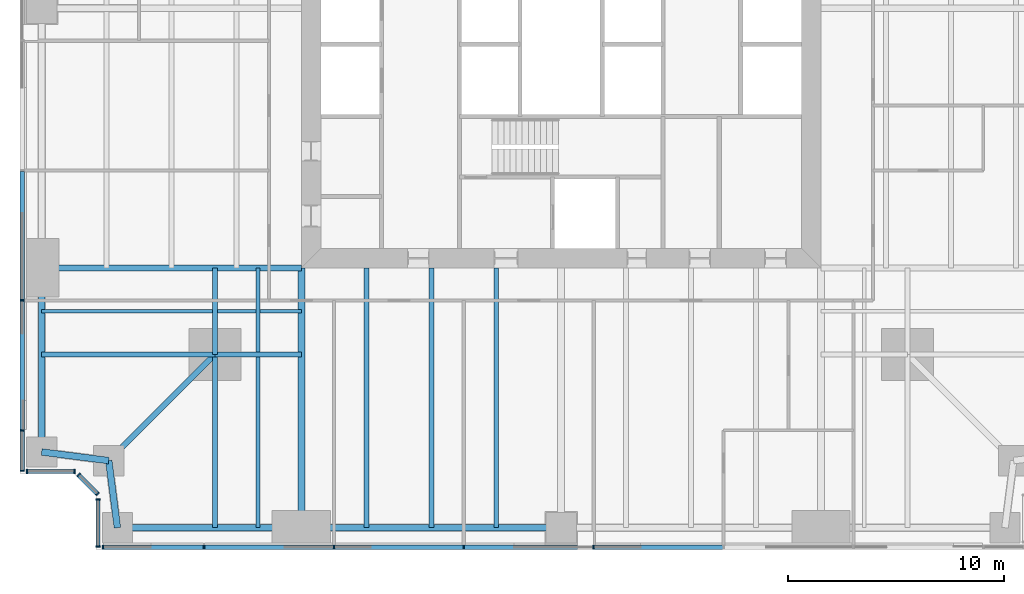
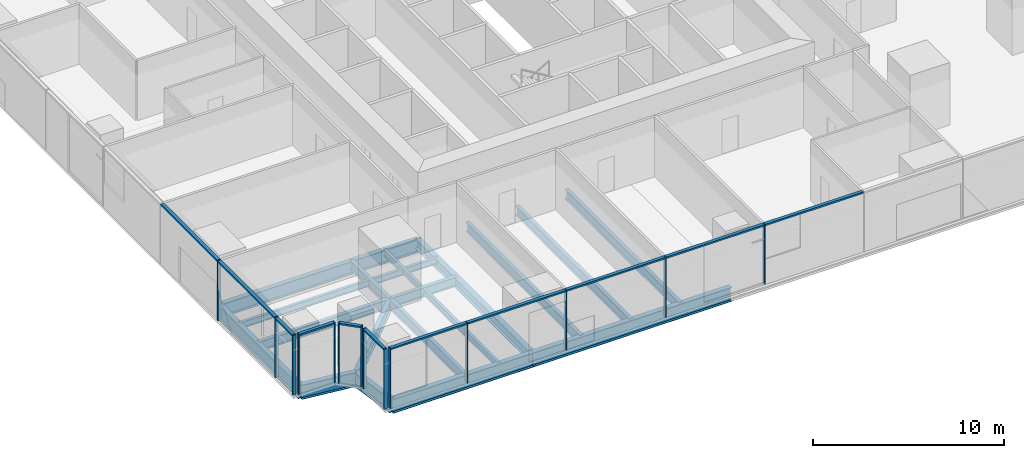
# One storey, part 2 of 14: 25 members, 20 beams, 5 elements without a shape of their own.
"""IFC4 building model written with IfcOpenShell, lengths in metres."""

from ifc_helpers import new_model, si_unit, direction, frame, origin, origin_2d, place, context, subcontext, project, spatial, rectangle, i_section, extrude, material, material_profile, profile_set, type_object, element, aggregate, save


model = new_model("IFC4")

# Units and contexts
model_context = context("Model", 3, precision=1e-05, world=origin(), true_north=direction((0.0, 1.0)))
body_context = subcontext(model_context, "Body", "Model", "MODEL_VIEW")
ifc_project = project(units=[si_unit("LENGTHUNIT", "METRE"), si_unit("AREAUNIT", "SQUARE_METRE"), si_unit("VOLUMEUNIT", "CUBIC_METRE"), si_unit("PLANEANGLEUNIT", "RADIAN"), si_unit("MASSUNIT", "GRAM", prefix="KILO")], contexts=[model_context])

# Site, building, storey
site_placement = place(None, origin())
site = spatial("IfcSite", under=ifc_project, at=site_placement, CompositionType="ELEMENT")
building_placement = place(site_placement, origin())
building = spatial("IfcBuilding", under=site, at=building_placement, Name="Fenwick Lantern Interchange", CompositionType="ELEMENT")
storey_placement = place(building_placement, frame((0.0, 0.0, 71.0)))
storey = spatial("IfcBuildingStorey", under=building, at=storey_placement, Name="L16", CompositionType="ELEMENT", Elevation=71.0)

# Beams
ifc_material_1 = material(Name="Steel ASTM A992 Grade 50", Category="steel")
ifc_material_profile_1 = material_profile(ifc_material_1, i_section(OverallWidth=0.3046875, OverallDepth=0.911865234375, WebThickness=0.015869140625, FlangeThickness=0.02392578125, at=origin_2d()), Name="W36X150")
ifc_profile_set_1 = profile_set([ifc_material_profile_1], Name="Steel ASTM A992 Grade 50")
beam_type_1 = type_object("IfcBeamType", Name="EDGE BEAM W36X150", PredefinedType="SPANDREL", material=ifc_profile_set_1)
beam_1_placement = place(storey_placement, frame((4.5, 1.0, -0.60595703125), z_axis=(1.0, 0.0, 0.0), x_axis=(0.0, 1.0, 0.0)))
element("IfcBeam", 1, at=beam_1_placement, inside=storey, type_object=beam_type_1, Name="L16/FR/S/EB1", PredefinedType="SPANDREL", context=body_context, shape_type="SweptSolid", body=[
    extrude(i_section(OverallWidth=0.3046875, OverallDepth=0.911865234375, WebThickness=0.015869140625, FlangeThickness=0.02392578125, at=origin_2d()), origin(), (0.0, 0.0, 1.0), 8.5),
])
beam_2_placement = place(storey_placement, frame((13.0, 1.0, -0.60595703125), z_axis=(1.0, 0.0, 0.0), x_axis=(0.0, 1.0, 0.0)))
element("IfcBeam", 2, at=beam_2_placement, inside=storey, type_object=beam_type_1, Name="L16/FR/S/EB2", PredefinedType="SPANDREL", context=body_context, shape_type="SweptSolid", body=[
    extrude(i_section(OverallWidth=0.3046875, OverallDepth=0.911865234375, WebThickness=0.015869140625, FlangeThickness=0.02392578125, at=origin_2d()), origin(), (0.0, 0.0, 1.0), 12.0),
])
beam_3_placement = place(storey_placement, frame((1.0, 13.0, -0.60595703125), z_axis=(0.0, -1.0, 0.0), x_axis=(1.0, 0.0, 0.0)))
element("IfcBeam", 3, at=beam_3_placement, inside=storey, type_object=beam_type_1, Name="L16/FR/W/EB4", PredefinedType="SPANDREL", context=body_context, shape_type="SweptSolid", body=[
    extrude(i_section(OverallWidth=0.3046875, OverallDepth=0.911865234375, WebThickness=0.015869140625, FlangeThickness=0.02392578125, at=origin_2d()), origin(), (0.0, 0.0, 1.0), 8.5),
])
for number, where, z_axis, x_axis, name in (
    (4, (1.0, 4.5, -0.60595703125), (0.991782342897, -0.127936641807, 0.0), (0.127936641807, 0.991782342897, 0.0), "L16/FR/W/EBR1"),
    (5, (4.10009765625, 4.10009765625, -0.60595703125), (0.127936641807, -0.991782342897, 0.0), (0.991782342897, 0.127936641807, 0.0), "L16/FR/W/EBR2"),
):
    element("IfcBeam", number, at=place(storey_placement, frame(where, z_axis=z_axis, x_axis=x_axis)), inside=storey, type_object=beam_type_1, Name=name, PredefinedType="SPANDREL", context=body_context, shape_type="SweptSolid", body=[
        extrude(i_section(OverallWidth=0.3046875, OverallDepth=0.911865234375, WebThickness=0.015869140625, FlangeThickness=0.02392578125, at=origin_2d()), origin(), (0.0, 0.0, 1.0), 3.125732421875),
    ])
ifc_material_profile_2 = material_profile(ifc_material_1, i_section(OverallWidth=0.22900390625, OverallDepth=0.612060546875, WebThickness=0.011962890625, FlangeThickness=0.01953125, at=origin_2d()), Name="W24X84")
ifc_profile_set_2 = profile_set([ifc_material_profile_2], Name="Steel ASTM A992 Grade 50")
beam_type_2 = type_object("IfcBeamType", Name="FLOOR BEAM W24X84", PredefinedType="BEAM", material=ifc_profile_set_2)
for number, where, z_axis, x_axis, name in (
    (6, (16.0, 1.0, -0.4560546875), (0.0, 1.0, 0.0), (-1.0, 0.0, 0.0), "L16/FR/S/R02"),
    (7, (19.0, 1.0, -0.4560546875), (0.0, 1.0, 0.0), (-1.0, 0.0, 0.0), "L16/FR/S/R03"),
    (8, (22.0, 1.0, -0.4560546875), (0.0, 1.0, 0.0), (-1.0, 0.0, 0.0), "L16/FR/S/R04"),
):
    element("IfcBeam", number, at=place(storey_placement, frame(where, z_axis=z_axis, x_axis=x_axis)), inside=storey, type_object=beam_type_2, Name=name, PredefinedType="BEAM", context=body_context, shape_type="SweptSolid", body=[
        extrude(i_section(OverallWidth=0.22900390625, OverallDepth=0.612060546875, WebThickness=0.011962890625, FlangeThickness=0.01953125, at=origin_2d()), origin(), (0.0, 0.0, 1.0), 12.0),
    ])
ifc_material_profile_3 = material_profile(ifc_material_1, i_section(OverallWidth=0.177734375, OverallDepth=0.406494140625, WebThickness=0.0078125, FlangeThickness=0.012939453125, at=origin_2d()), Name="W16X40")
ifc_profile_set_3 = profile_set([ifc_material_profile_3], Name="Steel ASTM A992 Grade 50")
beam_type_3 = type_object("IfcBeamType", Name="INFILL BEAM W16X40", PredefinedType="JOIST", material=ifc_profile_set_3)
beam_4_placement = place(storey_placement, frame((11.0, 1.0, -0.353271484375), z_axis=(0.0, 1.0, 0.0), x_axis=(-1.0, 0.0, 0.0)))
element("IfcBeam", 9, at=beam_4_placement, inside=storey, type_object=beam_type_3, Name="L16/FR/S/J1", PredefinedType="JOIST", context=body_context, shape_type="SweptSolid", body=[
    extrude(i_section(OverallWidth=0.177734375, OverallDepth=0.406494140625, WebThickness=0.0078125, FlangeThickness=0.012939453125, at=origin_2d()), origin(), (0.0, 0.0, 1.0), 7.885498046875),
])
beam_5_placement = place(storey_placement, frame((11.0, 9.114501953125, -0.353271484375), z_axis=(0.0, 1.0, 0.0), x_axis=(-1.0, 0.0, 0.0)))
element("IfcBeam", 10, at=beam_5_placement, inside=storey, type_object=beam_type_3, Name="L16/FR/S/J2", PredefinedType="JOIST", context=body_context, shape_type="SweptSolid", body=[
    extrude(i_section(OverallWidth=0.177734375, OverallDepth=0.406494140625, WebThickness=0.0078125, FlangeThickness=0.012939453125, at=origin_2d()), origin(), (0.0, 0.0, 1.0), 3.885498046875),
])
beam_6_placement = place(storey_placement, frame((1.0, 11.0, -0.353271484375), z_axis=(1.0, 0.0, 0.0), x_axis=(0.0, 1.0, 0.0)))
element("IfcBeam", 11, at=beam_6_placement, inside=storey, type_object=beam_type_3, Name="L16/FR/S/J3", PredefinedType="JOIST", context=body_context, shape_type="SweptSolid", body=[
    extrude(i_section(OverallWidth=0.177734375, OverallDepth=0.406494140625, WebThickness=0.0078125, FlangeThickness=0.012939453125, at=origin_2d()), origin(), (0.0, 0.0, 1.0), 7.885498046875),
])
beam_7_placement = place(storey_placement, frame((9.114501953125, 11.0, -0.353271484375), z_axis=(1.0, 0.0, 0.0), x_axis=(0.0, 1.0, 0.0)))
element("IfcBeam", 12, at=beam_7_placement, inside=storey, type_object=beam_type_3, Name="L16/FR/S/J4", PredefinedType="JOIST", context=body_context, shape_type="SweptSolid", body=[
    extrude(i_section(OverallWidth=0.177734375, OverallDepth=0.406494140625, WebThickness=0.0078125, FlangeThickness=0.012939453125, at=origin_2d()), origin(), (0.0, 0.0, 1.0), 1.796630859375),
])
beam_8_placement = place(storey_placement, frame((11.0888671875, 11.0, -0.353271484375), z_axis=(1.0, 0.0, 0.0), x_axis=(0.0, 1.0, 0.0)))
element("IfcBeam", 13, at=beam_8_placement, inside=storey, type_object=beam_type_3, Name="L16/FR/S/J5", PredefinedType="JOIST", context=body_context, shape_type="SweptSolid", body=[
    extrude(i_section(OverallWidth=0.177734375, OverallDepth=0.406494140625, WebThickness=0.0078125, FlangeThickness=0.012939453125, at=origin_2d()), origin(), (0.0, 0.0, 1.0), 1.9111328125),
])
ifc_material_profile_4 = material_profile(ifc_material_1, i_section(OverallWidth=0.22900390625, OverallDepth=0.612060546875, WebThickness=0.011962890625, FlangeThickness=0.01953125, at=origin_2d()), Name="W24X84")
ifc_profile_set_4 = profile_set([ifc_material_profile_4], Name="Steel ASTM A992 Grade 50")
beam_type_4 = type_object("IfcBeamType", Name="MEGA COLUMN BEAM W24X84", PredefinedType="BEAM", material=ifc_profile_set_4)
for number, where, z_axis, x_axis, name in (
    (14, (9.0, 9.0, -0.4560546875), (0.0, -1.0, 0.0), (1.0, 0.0, 0.0), "L16/FR/S/MB1"),
    (15, (9.0, 9.0, -0.4560546875), (-1.0, 0.0, 0.0), (0.0, -1.0, 0.0), "L16/FR/S/MB2"),
):
    element("IfcBeam", number, at=place(storey_placement, frame(where, z_axis=z_axis, x_axis=x_axis)), inside=storey, type_object=beam_type_4, Name=name, PredefinedType="BEAM", context=body_context, shape_type="SweptSolid", body=[
        extrude(i_section(OverallWidth=0.22900390625, OverallDepth=0.612060546875, WebThickness=0.011962890625, FlangeThickness=0.01953125, at=origin_2d()), origin(), (0.0, 0.0, 1.0), 8.0),
    ])
for number, where, z_axis, x_axis, name in (
    (16, (9.0, 9.0, -0.4560546875), (1.0, 0.0, 0.0), (0.0, 1.0, 0.0), "L16/FR/S/MB3"),
    (17, (9.0, 9.0, -0.4560546875), (0.0, 1.0, 0.0), (-1.0, 0.0, 0.0), "L16/FR/S/MB4"),
):
    element("IfcBeam", number, at=place(storey_placement, frame(where, z_axis=z_axis, x_axis=x_axis)), inside=storey, type_object=beam_type_4, Name=name, PredefinedType="BEAM", context=body_context, shape_type="SweptSolid", body=[
        extrude(i_section(OverallWidth=0.22900390625, OverallDepth=0.612060546875, WebThickness=0.011962890625, FlangeThickness=0.01953125, at=origin_2d()), origin(), (0.0, 0.0, 1.0), 4.0),
    ])
ifc_material_profile_5 = material_profile(ifc_material_1, i_section(OverallWidth=0.32763671875, OverallDepth=0.622314453125, WebThickness=0.015380859375, FlangeThickness=0.0244140625, at=origin_2d()), Name="W24X131")
ifc_profile_set_5 = profile_set([ifc_material_profile_5], Name="Steel ASTM A992 Grade 50")
beam_type_5 = type_object("IfcBeamType", Name="MOMENT-CONNECTED GIRDER W24X131", PredefinedType="BEAM", material=ifc_profile_set_5)
beam_9_placement = place(storey_placement, frame((13.0, 1.0, -0.461181640625), z_axis=(0.0, 1.0, 0.0), x_axis=(-1.0, 0.0, 0.0)))
element("IfcBeam", 18, at=beam_9_placement, inside=storey, type_object=beam_type_5, Name="L16/FR/S/R01", PredefinedType="BEAM", context=body_context, shape_type="SweptSolid", body=[
    extrude(i_section(OverallWidth=0.32763671875, OverallDepth=0.622314453125, WebThickness=0.015380859375, FlangeThickness=0.0244140625, at=origin_2d()), origin(), (0.0, 0.0, 1.0), 12.0),
])
ifc_material_profile_6 = material_profile(ifc_material_1, i_section(OverallWidth=0.2919921875, OverallDepth=0.845703125, WebThickness=0.015380859375, FlangeThickness=0.0244140625, at=origin_2d()), Name="W33X141")
ifc_profile_set_6 = profile_set([ifc_material_profile_6], Name="Steel ASTM A992 Grade 50")
beam_type_6 = type_object("IfcBeamType", Name="MOMENT-CONNECTED GIRDER W33X141", PredefinedType="BEAM", material=ifc_profile_set_6)
beam_10_placement = place(storey_placement, frame((1.0, 13.0, -0.572998046875), z_axis=(1.0, 0.0, 0.0), x_axis=(0.0, 1.0, 0.0)))
element("IfcBeam", 19, at=beam_10_placement, inside=storey, type_object=beam_type_6, Name="L16/FR/W/R03", PredefinedType="BEAM", context=body_context, shape_type="SweptSolid", body=[
    extrude(i_section(OverallWidth=0.2919921875, OverallDepth=0.845703125, WebThickness=0.015380859375, FlangeThickness=0.0244140625, at=origin_2d()), origin(), (0.0, 0.0, 1.0), 12.0),
])
ifc_material_profile_7 = material_profile(ifc_material_1, i_section(OverallWidth=0.2666015625, OverallDepth=0.7568359375, WebThickness=0.013916015625, FlangeThickness=0.019287109375, at=origin_2d()), Name="W30X108")
ifc_profile_set_7 = profile_set([ifc_material_profile_7], Name="Steel ASTM A992 Grade 50")
beam_type_7 = type_object("IfcBeamType", Name="NOTCH BEAM W30X108", PredefinedType="BEAM", material=ifc_profile_set_7)
beam_11_placement = place(storey_placement, frame((9.0, 9.0, -0.528564453125), z_axis=(-0.707106781187, -0.707106781187, 0.0), x_axis=(0.707106781187, -0.707106781187, 0.0)))
element("IfcBeam", 20, at=beam_11_placement, inside=storey, type_object=beam_type_7, Name="L16/FR/S/TG", PredefinedType="BEAM", context=body_context, shape_type="SweptSolid", body=[
    extrude(i_section(OverallWidth=0.2666015625, OverallDepth=0.7568359375, WebThickness=0.013916015625, FlangeThickness=0.019287109375, at=origin_2d()), origin(), (0.0, 0.0, 1.0), 6.929443359375),
])

# Curtain wall, members
ifc_material_2 = material(Name="Aluminium curtain wall frame", Category="aluminium")
curtain_wall_type = type_object("IfcCurtainWallType", Name="OFFICE CURTAIN WALL", PredefinedType="USERDEFINED", material=ifc_material_2)
curtain_wall_1_placement = place(storey_placement, origin())
curtain_wall_1 = element("IfcCurtainWall", 21, at=curtain_wall_1_placement, inside=storey, type_object=curtain_wall_type, Name="Office curtain wall 01", ObjectType="OFFICE CURTAIN WALL", PredefinedType="USERDEFINED")
ifc_material_3 = material(Name="Aluminium extrusion", Category="aluminium")
ifc_material_profile_8 = material_profile(ifc_material_3, rectangle(XDim=0.199951171875, YDim=0.06494140625, at=origin_2d()), Name="OFFICE CURTAIN WALL MULLION 65 X 200")
ifc_profile_set_8 = profile_set([ifc_material_profile_8], Name="Aluminium extrusion")
member_type_1 = type_object("IfcMemberType", Name="OFFICE CURTAIN WALL MULLION 65 X 200", PredefinedType="MULLION", material=ifc_profile_set_8)
member_1_placement = place(storey_placement, frame((3.83251953125, 0.10009765625, 0.0), z_axis=(0.0, 0.0, 1.0), x_axis=(0.0, 1.0, 0.0)))
member_1 = element("IfcMember", 22, at=member_1_placement, type_object=member_type_1, Name="L16/CW/01/M00", PredefinedType="MULLION", context=body_context, shape_type="SweptSolid", body=[
    extrude(rectangle(XDim=0.199951171875, YDim=0.06494140625, at=origin_2d()), origin(), (0.0, 0.0, 1.0), 3.85009765625),
])
member_2_placement = place(storey_placement, frame((8.5, 0.10009765625, 0.0), z_axis=(0.0, 0.0, 1.0), x_axis=(0.0, 1.0, 0.0)))
member_2 = element("IfcMember", 23, at=member_2_placement, type_object=member_type_1, Name="L16/CW/01/M01", PredefinedType="MULLION", context=body_context, shape_type="SweptSolid", body=[
    extrude(rectangle(XDim=0.199951171875, YDim=0.06494140625, at=origin_2d()), origin(), (0.0, 0.0, 1.0), 3.85009765625),
])
member_3_placement = place(storey_placement, frame((14.5, 0.10009765625, 0.0), z_axis=(0.0, 0.0, 1.0), x_axis=(0.0, 1.0, 0.0)))
member_3 = element("IfcMember", 24, at=member_3_placement, type_object=member_type_1, Name="L16/CW/01/M02", PredefinedType="MULLION", context=body_context, shape_type="SweptSolid", body=[
    extrude(rectangle(XDim=0.199951171875, YDim=0.06494140625, at=origin_2d()), origin(), (0.0, 0.0, 1.0), 3.85009765625),
])
member_4_placement = place(storey_placement, frame((20.5, 0.10009765625, 0.0), z_axis=(0.0, 0.0, 1.0), x_axis=(0.0, 1.0, 0.0)))
member_4 = element("IfcMember", 25, at=member_4_placement, type_object=member_type_1, Name="L16/CW/01/M03", PredefinedType="MULLION", context=body_context, shape_type="SweptSolid", body=[
    extrude(rectangle(XDim=0.199951171875, YDim=0.06494140625, at=origin_2d()), origin(), (0.0, 0.0, 1.0), 3.85009765625),
])
member_5_placement = place(storey_placement, frame((26.5, 0.10009765625, 0.0), z_axis=(0.0, 0.0, 1.0), x_axis=(0.0, 1.0, 0.0)))
member_5 = element("IfcMember", 26, at=member_5_placement, type_object=member_type_1, Name="L16/CW/01/M04", PredefinedType="MULLION", context=body_context, shape_type="SweptSolid", body=[
    extrude(rectangle(XDim=0.199951171875, YDim=0.06494140625, at=origin_2d()), origin(), (0.0, 0.0, 1.0), 3.85009765625),
])

curtain_wall_2_placement = place(storey_placement, origin())
curtain_wall_2 = element("IfcCurtainWall", 27, at=curtain_wall_2_placement, inside=storey, type_object=curtain_wall_type, Name="Office curtain wall 13", ObjectType="OFFICE CURTAIN WALL", PredefinedType="USERDEFINED")
member_6_placement = place(storey_placement, frame((0.10009765625, 11.5, 0.0), z_axis=(0.0, 0.0, 1.0), x_axis=(1.0, 0.0, 0.0)))
member_6 = element("IfcMember", 28, at=member_6_placement, type_object=member_type_1, Name="L16/CW/13/M06", PredefinedType="MULLION", context=body_context, shape_type="SweptSolid", body=[
    extrude(rectangle(XDim=0.199951171875, YDim=0.06494140625, at=origin_2d()), origin(), (0.0, 0.0, 1.0), 3.85009765625),
])
member_7_placement = place(storey_placement, frame((0.10009765625, 5.5, 0.0), z_axis=(0.0, 0.0, 1.0), x_axis=(1.0, 0.0, 0.0)))
member_7 = element("IfcMember", 29, at=member_7_placement, type_object=member_type_1, Name="L16/CW/13/M07", PredefinedType="MULLION", context=body_context, shape_type="SweptSolid", body=[
    extrude(rectangle(XDim=0.199951171875, YDim=0.06494140625, at=origin_2d()), origin(), (0.0, 0.0, 1.0), 3.85009765625),
])
member_8_placement = place(storey_placement, frame((0.10009765625, 3.632568359375, 0.0), z_axis=(0.0, 0.0, 1.0), x_axis=(1.0, 0.0, 0.0)))
member_8 = element("IfcMember", 30, at=member_8_placement, type_object=member_type_1, Name="L16/CW/13/M08", PredefinedType="MULLION", context=body_context, shape_type="SweptSolid", body=[
    extrude(rectangle(XDim=0.199951171875, YDim=0.06494140625, at=origin_2d()), origin(), (0.0, 0.0, 1.0), 3.85009765625),
])

curtain_wall_3_placement = place(storey_placement, origin())
curtain_wall_3 = element("IfcCurtainWall", 31, at=curtain_wall_3_placement, inside=storey, type_object=curtain_wall_type, Name="Office curtain wall 14", ObjectType="OFFICE CURTAIN WALL", PredefinedType="USERDEFINED")
member_9_placement = place(storey_placement, frame((0.33251953125, 3.60009765625, 0.0), z_axis=(0.0, 0.0, 1.0), x_axis=(0.0, 1.0, 0.0)))
member_9 = element("IfcMember", 32, at=member_9_placement, type_object=member_type_1, Name="L16/CW/14/M00", PredefinedType="MULLION", context=body_context, shape_type="SweptSolid", body=[
    extrude(rectangle(XDim=0.199951171875, YDim=0.06494140625, at=origin_2d()), origin(), (0.0, 0.0, 1.0), 3.85009765625),
])
member_10_placement = place(storey_placement, frame((2.509033203125, 3.60009765625, 0.0), z_axis=(0.0, 0.0, 1.0), x_axis=(0.0, 1.0, 0.0)))
member_10 = element("IfcMember", 33, at=member_10_placement, type_object=member_type_1, Name="L16/CW/14/M01", PredefinedType="MULLION", context=body_context, shape_type="SweptSolid", body=[
    extrude(rectangle(XDim=0.199951171875, YDim=0.06494140625, at=origin_2d()), origin(), (0.0, 0.0, 1.0), 3.85009765625),
])

curtain_wall_4_placement = place(storey_placement, origin())
curtain_wall_4 = element("IfcCurtainWall", 34, at=curtain_wall_4_placement, inside=storey, type_object=curtain_wall_type, Name="Office curtain wall 15", ObjectType="OFFICE CURTAIN WALL", PredefinedType="USERDEFINED")
member_11_placement = place(storey_placement, frame((2.705810546875, 3.435546875, 0.0), z_axis=(0.0, 0.0, 1.0), x_axis=(0.707106781187, 0.707106781187, 0.0)))
member_11 = element("IfcMember", 35, at=member_11_placement, type_object=member_type_1, Name="L16/CW/15/M00", PredefinedType="MULLION", context=body_context, shape_type="SweptSolid", body=[
    extrude(rectangle(XDim=0.199951171875, YDim=0.06494140625, at=origin_2d()), origin(), (0.0, 0.0, 1.0), 3.85009765625),
])
member_12_placement = place(storey_placement, frame((3.576904296875, 2.564453125, 0.0), z_axis=(0.0, 0.0, 1.0), x_axis=(0.707106781187, 0.707106781187, 0.0)))
member_12 = element("IfcMember", 36, at=member_12_placement, type_object=member_type_1, Name="L16/CW/15/M01", PredefinedType="MULLION", context=body_context, shape_type="SweptSolid", body=[
    extrude(rectangle(XDim=0.199951171875, YDim=0.06494140625, at=origin_2d()), origin(), (0.0, 0.0, 1.0), 3.85009765625),
])

curtain_wall_5_placement = place(storey_placement, origin())
curtain_wall_5 = element("IfcCurtainWall", 37, at=curtain_wall_5_placement, inside=storey, type_object=curtain_wall_type, Name="Office curtain wall 16", ObjectType="OFFICE CURTAIN WALL", PredefinedType="USERDEFINED")
member_13_placement = place(storey_placement, frame((3.60009765625, 2.308837890625, 0.0), z_axis=(0.0, 0.0, 1.0), x_axis=(1.0, 0.0, 0.0)))
member_13 = element("IfcMember", 38, at=member_13_placement, type_object=member_type_1, Name="L16/CW/16/M00", PredefinedType="MULLION", context=body_context, shape_type="SweptSolid", body=[
    extrude(rectangle(XDim=0.199951171875, YDim=0.06494140625, at=origin_2d()), origin(), (0.0, 0.0, 1.0), 3.85009765625),
])
member_14_placement = place(storey_placement, frame((3.60009765625, 0.132568359375, 0.0), z_axis=(0.0, 0.0, 1.0), x_axis=(1.0, 0.0, 0.0)))
member_14 = element("IfcMember", 39, at=member_14_placement, type_object=member_type_1, Name="L16/CW/16/M01", PredefinedType="MULLION", context=body_context, shape_type="SweptSolid", body=[
    extrude(rectangle(XDim=0.199951171875, YDim=0.06494140625, at=origin_2d()), origin(), (0.0, 0.0, 1.0), 3.85009765625),
])

# Member
ifc_material_profile_9 = material_profile(ifc_material_3, rectangle(XDim=0.199951171875, YDim=0.10009765625, at=origin_2d()), Name="OFFICE CURTAIN WALL TRANSOM 100 X 200")
ifc_profile_set_9 = profile_set([ifc_material_profile_9], Name="Aluminium extrusion")
member_type_2 = type_object("IfcMemberType", Name="OFFICE CURTAIN WALL TRANSOM 100 X 200", PredefinedType="MULLION", material=ifc_profile_set_9)
member_15_placement = place(storey_placement, frame((3.864990234375, 0.10009765625, 3.800048828125), z_axis=(1.0, 0.0, 0.0), x_axis=(0.0, 1.0, 0.0)))
member_15 = element("IfcMember", 40, at=member_15_placement, type_object=member_type_2, Name="L16/CW/01/T00", PredefinedType="MULLION", context=body_context, shape_type="SweptSolid", body=[
    extrude(rectangle(XDim=0.199951171875, YDim=0.10009765625, at=origin_2d()), origin(), (0.0, 0.0, 1.0), 4.6025390625),
])

member_16_placement = place(storey_placement, frame((8.532470703125, 0.10009765625, 3.800048828125), z_axis=(1.0, 0.0, 0.0), x_axis=(0.0, 1.0, 0.0)))
member_16 = element("IfcMember", 41, at=member_16_placement, type_object=member_type_2, Name="L16/CW/01/T01", PredefinedType="MULLION", context=body_context, shape_type="SweptSolid", body=[
    extrude(rectangle(XDim=0.199951171875, YDim=0.10009765625, at=origin_2d()), origin(), (0.0, 0.0, 1.0), 5.93505859375),
])

member_17_placement = place(storey_placement, frame((14.532470703125, 0.10009765625, 3.800048828125), z_axis=(1.0, 0.0, 0.0), x_axis=(0.0, 1.0, 0.0)))
member_17 = element("IfcMember", 42, at=member_17_placement, type_object=member_type_2, Name="L16/CW/01/T02", PredefinedType="MULLION", context=body_context, shape_type="SweptSolid", body=[
    extrude(rectangle(XDim=0.199951171875, YDim=0.10009765625, at=origin_2d()), origin(), (0.0, 0.0, 1.0), 5.93505859375),
])

member_18_placement = place(storey_placement, frame((20.532470703125, 0.10009765625, 3.800048828125), z_axis=(1.0, 0.0, 0.0), x_axis=(0.0, 1.0, 0.0)))
member_18 = element("IfcMember", 43, at=member_18_placement, type_object=member_type_2, Name="L16/CW/01/T03", PredefinedType="MULLION", context=body_context, shape_type="SweptSolid", body=[
    extrude(rectangle(XDim=0.199951171875, YDim=0.10009765625, at=origin_2d()), origin(), (0.0, 0.0, 1.0), 5.93505859375),
])

member_19_placement = place(storey_placement, frame((26.532470703125, 0.10009765625, 3.800048828125), z_axis=(1.0, 0.0, 0.0), x_axis=(0.0, 1.0, 0.0)))
member_19 = element("IfcMember", 44, at=member_19_placement, type_object=member_type_2, Name="L16/CW/01/T04", PredefinedType="MULLION", context=body_context, shape_type="SweptSolid", body=[
    extrude(rectangle(XDim=0.199951171875, YDim=0.10009765625, at=origin_2d()), origin(), (0.0, 0.0, 1.0), 5.93505859375),
])

aggregate(curtain_wall_1, [member_1, member_2, member_3, member_4, member_5, member_15, member_16, member_17, member_18, member_19])

member_20_placement = place(storey_placement, frame((0.10009765625, 17.467529296875, 3.800048828125), z_axis=(0.0, -1.0, 0.0), x_axis=(1.0, 0.0, 0.0)))
member_20 = element("IfcMember", 45, at=member_20_placement, type_object=member_type_2, Name="L16/CW/13/T05", PredefinedType="MULLION", context=body_context, shape_type="SweptSolid", body=[
    extrude(rectangle(XDim=0.199951171875, YDim=0.10009765625, at=origin_2d()), origin(), (0.0, 0.0, 1.0), 5.93505859375),
])

member_21_placement = place(storey_placement, frame((0.10009765625, 11.467529296875, 3.800048828125), z_axis=(0.0, -1.0, 0.0), x_axis=(1.0, 0.0, 0.0)))
member_21 = element("IfcMember", 46, at=member_21_placement, type_object=member_type_2, Name="L16/CW/13/T06", PredefinedType="MULLION", context=body_context, shape_type="SweptSolid", body=[
    extrude(rectangle(XDim=0.199951171875, YDim=0.10009765625, at=origin_2d()), origin(), (0.0, 0.0, 1.0), 5.93505859375),
])

member_22_placement = place(storey_placement, frame((0.10009765625, 5.467529296875, 3.800048828125), z_axis=(0.0, -1.0, 0.0), x_axis=(1.0, 0.0, 0.0)))
member_22 = element("IfcMember", 47, at=member_22_placement, type_object=member_type_2, Name="L16/CW/13/T07", PredefinedType="MULLION", context=body_context, shape_type="SweptSolid", body=[
    extrude(rectangle(XDim=0.199951171875, YDim=0.10009765625, at=origin_2d()), origin(), (0.0, 0.0, 1.0), 1.802490234375),
])

aggregate(curtain_wall_2, [member_6, member_7, member_8, member_20, member_21, member_22])

member_23_placement = place(storey_placement, frame((0.364990234375, 3.60009765625, 3.800048828125), z_axis=(1.0, 0.0, 0.0), x_axis=(0.0, 1.0, 0.0)))
member_23 = element("IfcMember", 48, at=member_23_placement, type_object=member_type_2, Name="L16/CW/14/T00", PredefinedType="MULLION", context=body_context, shape_type="SweptSolid", body=[
    extrude(rectangle(XDim=0.199951171875, YDim=0.10009765625, at=origin_2d()), origin(), (0.0, 0.0, 1.0), 2.111328125),
])

aggregate(curtain_wall_3, [member_9, member_10, member_23])

member_24_placement = place(storey_placement, frame((2.728759765625, 3.41259765625, 3.800048828125), z_axis=(0.707106781187, -0.707106781187, 0.0), x_axis=(0.707106781187, 0.707106781187, 0.0)))
member_24 = element("IfcMember", 49, at=member_24_placement, type_object=member_type_2, Name="L16/CW/15/T00", PredefinedType="MULLION", context=body_context, shape_type="SweptSolid", body=[
    extrude(rectangle(XDim=0.199951171875, YDim=0.10009765625, at=origin_2d()), origin(), (0.0, 0.0, 1.0), 1.1669921875),
])

aggregate(curtain_wall_4, [member_11, member_12, member_24])

member_25_placement = place(storey_placement, frame((3.60009765625, 2.2763671875, 3.800048828125), z_axis=(0.0, -1.0, 0.0), x_axis=(1.0, 0.0, 0.0)))
member_25 = element("IfcMember", 50, at=member_25_placement, type_object=member_type_2, Name="L16/CW/16/T00", PredefinedType="MULLION", context=body_context, shape_type="SweptSolid", body=[
    extrude(rectangle(XDim=0.199951171875, YDim=0.10009765625, at=origin_2d()), origin(), (0.0, 0.0, 1.0), 2.111328125),
])

aggregate(curtain_wall_5, [member_13, member_14, member_25])

save(model, "model.ifc")
